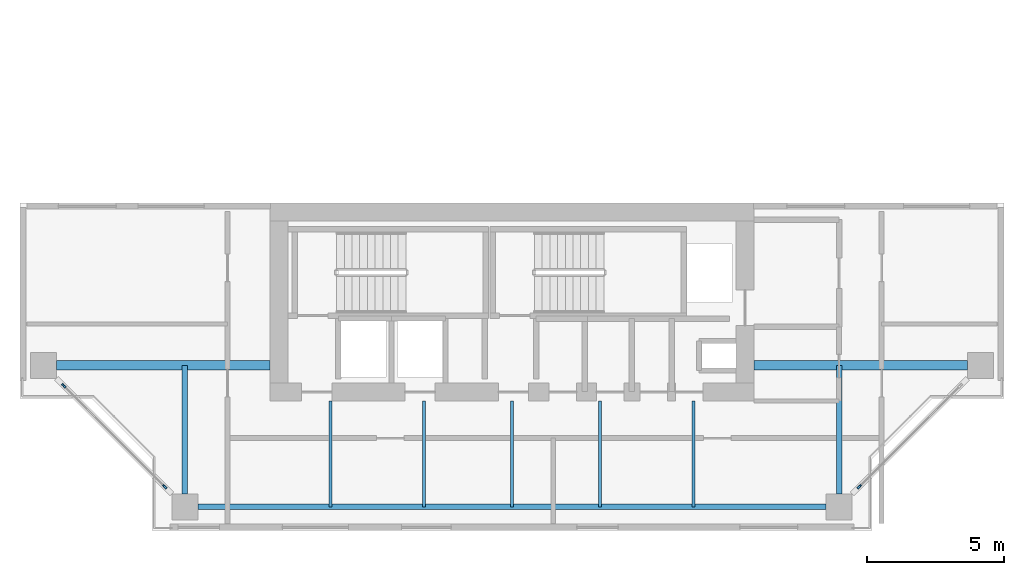
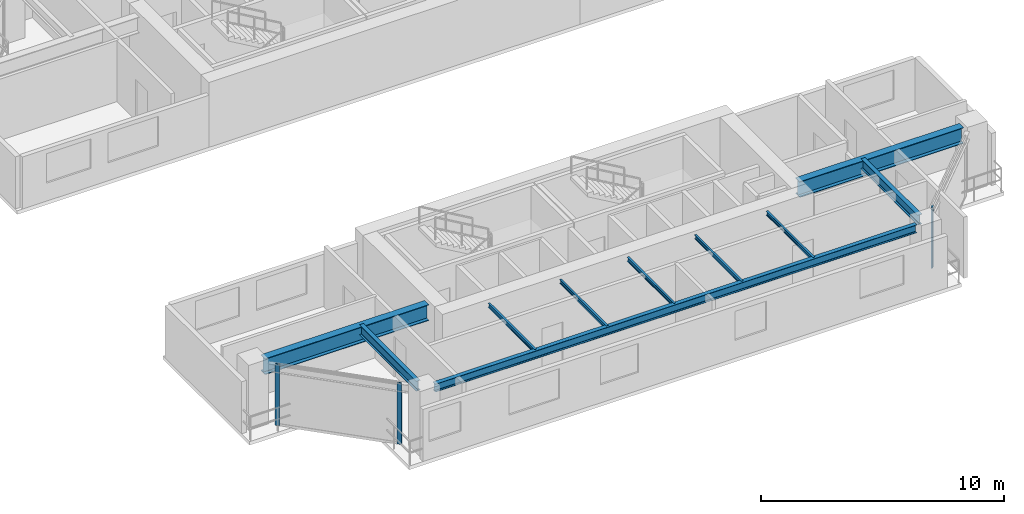
# One storey, part 2 of 12: 10 beams, 3 members, 2 elements without a shape of their own.
"""IFC4 building model written with IfcOpenShell, lengths in metres."""

from ifc_helpers import new_model, si_unit, direction, frame, origin, origin_2d, place, context, subcontext, project, spatial, rectangle, i_section, extrude, source, transform, mapped, material, layer, layer_set, material_profile, profile_set, type_object, element, aggregate, save


model = new_model("IFC4")

# Units and contexts
model_context = context("Model", 3, precision=1e-05, world=origin(), true_north=direction((0.0, 1.0)))
body_context = subcontext(model_context, "Body", "Model", "MODEL_VIEW")
ifc_project = project(units=[si_unit("LENGTHUNIT", "METRE"), si_unit("AREAUNIT", "SQUARE_METRE"), si_unit("VOLUMEUNIT", "CUBIC_METRE"), si_unit("PLANEANGLEUNIT", "RADIAN"), si_unit("MASSUNIT", "GRAM", prefix="KILO"), si_unit("THERMODYNAMICTEMPERATUREUNIT", "KELVIN"), si_unit("POWERUNIT", "WATT")], contexts=[model_context])

# Site, building, storey
site_placement = place(None, origin())
site = spatial("IfcSite", under=ifc_project, at=site_placement, CompositionType="ELEMENT")
building_placement = place(site_placement, origin())
building = spatial("IfcBuilding", under=site, at=building_placement, Name="Qiaomeng Ring Towers", CompositionType="ELEMENT")
storey_placement = place(building_placement, frame((0.0, 0.0, 163.25)))
storey = spatial("IfcBuildingStorey", under=building, at=storey_placement, Name="L47", CompositionType="ELEMENT", Elevation=163.25)

# Beams
ifc_material_1 = material(Name="Steel Q355B", Category="steel")
ifc_material_profile_1 = material_profile(ifc_material_1, i_section(OverallWidth=0.10009765625, OverallDepth=0.199951171875, WebThickness=0.005615234375, FlangeThickness=0.008056640625, FilletRadius=0.010986328125, at=origin_2d()), Name="HN 200x100x5.5x8")
ifc_profile_set_1 = profile_set([ifc_material_profile_1], Name="Steel Q355B")
beam_type_1 = type_object("IfcBeamType", Name="STR-BM-HN200", PredefinedType="JOIST", material=ifc_profile_set_1)
shared_shape_1 = source(origin(), body_context, "Body", "SweptSolid", [
    extrude(i_section(OverallWidth=0.10009765625, OverallDepth=0.199951171875, WebThickness=0.005615234375, FlangeThickness=0.008056640625, FilletRadius=0.010986328125, at=origin_2d()), origin(), (0.0, 0.0, 1.0), 3.85009765625),
])
for number, where, z_axis, x_axis, name in (
    (1, (12.39990234375, 5.949951171875, 2.969970703125), (0.0, 1.0, 0.0), (-1.0, 0.0, 0.0), "L47 beam STR-JST-L47-T1S-1"),
    (2, (15.800048828125, 5.949951171875, 2.969970703125), (0.0, 1.0, 0.0), (-1.0, 0.0, 0.0), "L47 beam STR-JST-L47-T1S-2"),
    (3, (19.0, 5.949951171875, 2.969970703125), (0.0, 1.0, 0.0), (-1.0, 0.0, 0.0), "L47 beam STR-JST-L47-T1S-3"),
    (4, (22.199951171875, 5.949951171875, 2.969970703125), (0.0, 1.0, 0.0), (-1.0, 0.0, 0.0), "L47 beam STR-JST-L47-T1S-4"),
    (5, (25.60009765625, 5.949951171875, 2.969970703125), (0.0, 1.0, 0.0), (-1.0, 0.0, 0.0), "L47 beam STR-JST-L47-T1S-5"),
):
    element("IfcBeam", number, at=place(storey_placement, frame(where, z_axis=z_axis, x_axis=x_axis)), inside=storey, type_object=beam_type_1, Name=name, PredefinedType="JOIST", context=body_context, shape_type="MappedRepresentation", body=[
        mapped(shared_shape_1, transform((0.0, 0.0, 0.0), x_axis=(1.0, 0.0, 0.0), y_axis=(0.0, 1.0, 0.0), z_axis=(0.0, 0.0, 1.0), scale=1.0)),
    ])
ifc_material_profile_2 = material_profile(ifc_material_1, i_section(OverallWidth=0.199951171875, OverallDepth=0.39990234375, WebThickness=0.008056640625, FlangeThickness=0.012939453125, FilletRadius=0.01611328125, at=origin_2d()), Name="HN 400x200x8x13")
ifc_profile_set_2 = profile_set([ifc_material_profile_2], Name="Steel Q355B")
beam_type_2 = type_object("IfcBeamType", Name="STR-BM-HN400", PredefinedType="SPANDREL", material=ifc_profile_set_2)
shared_shape_2 = source(origin(), body_context, "Body", "SweptSolid", [
    extrude(i_section(OverallWidth=0.199951171875, OverallDepth=0.39990234375, WebThickness=0.008056640625, FlangeThickness=0.012939453125, FilletRadius=0.01611328125, at=origin_2d()), origin(), (0.0, 0.0, 1.0), 22.85205078125),
])
beam_placement = place(storey_placement, frame((7.573974609375, 5.949951171875, 2.8701171875), z_axis=(1.0, 0.0, 0.0), x_axis=(0.0, 1.0, 0.0)))
element("IfcBeam", 6, at=beam_placement, inside=storey, type_object=beam_type_2, Name="L47 beam STR-SP-L47-T1-S1-S2", PredefinedType="SPANDREL", context=body_context, shape_type="MappedRepresentation", body=[
    mapped(shared_shape_2, transform((0.0, 0.0, 0.0), x_axis=(1.0, 0.0, 0.0), y_axis=(0.0, 1.0, 0.0), z_axis=(0.0, 0.0, 1.0), scale=1.0)),
])
ifc_material_2 = material(Name="Steel Q390GJC", Category="steel")
ifc_material_profile_3 = material_profile(ifc_material_2, i_section(OverallWidth=0.35009765625, OverallDepth=0.800048828125, WebThickness=0.01611328125, FlangeThickness=0.028076171875, at=origin_2d()), Name="WH 800x350x16x28")
ifc_profile_set_3 = profile_set([ifc_material_profile_3], Name="Steel Q390GJC")
beam_type_3 = type_object("IfcBeamType", Name="STR-BM-WH800", PredefinedType="BEAM", material=ifc_profile_set_3)
shared_shape_3 = source(origin(), body_context, "Body", "SweptSolid", [
    extrude(i_section(OverallWidth=0.35009765625, OverallDepth=0.800048828125, WebThickness=0.01611328125, FlangeThickness=0.028076171875, at=origin_2d()), origin(), (0.0, 0.0, 1.0), 7.77587890625),
])
for number, where, z_axis, x_axis, name in (
    (7, (2.424072265625, 11.10009765625, 2.669921875), (1.0, 0.0, 0.0), (0.0, 1.0, 0.0), "L47 beam STR-BM-L47-T1-RAD-W1"),
    (8, (27.800048828125, 11.10009765625, 2.669921875), (1.0, 0.0, 0.0), (0.0, 1.0, 0.0), "L47 beam STR-BM-L47-T1-RAD-E1"),
):
    element("IfcBeam", number, at=place(storey_placement, frame(where, z_axis=z_axis, x_axis=x_axis)), inside=storey, type_object=beam_type_3, Name=name, PredefinedType="BEAM", context=body_context, shape_type="MappedRepresentation", body=[
        mapped(shared_shape_3, transform((0.0, 0.0, 0.0), x_axis=(1.0, 0.0, 0.0), y_axis=(0.0, 1.0, 0.0), z_axis=(0.0, 0.0, 1.0), scale=1.0)),
    ])
ifc_material_profile_4 = material_profile(ifc_material_1, i_section(OverallWidth=0.199951171875, OverallDepth=0.5, WebThickness=0.010009765625, FlangeThickness=0.01611328125, FilletRadius=0.02001953125, at=origin_2d()), Name="HN 500x200x10x16")
ifc_profile_set_4 = profile_set([ifc_material_profile_4], Name="Steel Q355B")
beam_type_4 = type_object("IfcBeamType", Name="STR-BM-HN500", PredefinedType="BEAM", material=ifc_profile_set_4)
shared_shape_4 = source(origin(), body_context, "Body", "SweptSolid", [
    extrude(i_section(OverallWidth=0.199951171875, OverallDepth=0.5, WebThickness=0.010009765625, FlangeThickness=0.01611328125, FilletRadius=0.02001953125, at=origin_2d()), origin(), (0.0, 0.0, 1.0), 4.676025390625),
])
for number, where, z_axis, x_axis, name in (
    (9, (7.10009765625, 6.424072265625, 2.820068359375), (0.0, 1.0, 0.0), (-1.0, 0.0, 0.0), "L47 beam STR-BM-L47-T1-RAD-S1"),
    (10, (30.89990234375, 6.424072265625, 2.820068359375), (0.0, 1.0, 0.0), (-1.0, 0.0, 0.0), "L47 beam STR-BM-L47-T1-RAD-S2"),
):
    element("IfcBeam", number, at=place(storey_placement, frame(where, z_axis=z_axis, x_axis=x_axis)), inside=storey, type_object=beam_type_4, Name=name, PredefinedType="BEAM", context=body_context, shape_type="MappedRepresentation", body=[
        mapped(shared_shape_4, transform((0.0, 0.0, 0.0), x_axis=(1.0, 0.0, 0.0), y_axis=(0.0, 1.0, 0.0), z_axis=(0.0, 0.0, 1.0), scale=1.0)),
    ])

# Curtain wall, member
ifc_material_3 = material(Name="Fluorocarbon dark-grey aluminium", Category="aluminium")
ifc_layer = layer(ifc_material_3, 0.14990234375, Name="Fluorocarbon dark-grey aluminium")
ifc_layer_set = layer_set([ifc_layer], Name="Fluorocarbon dark-grey aluminium")
curtain_wall_type = type_object("IfcCurtainWallType", Name="ARC-CW-3", PredefinedType="NOTDEFINED", material=ifc_layer_set)
curtain_wall_1_placement = place(storey_placement, origin())
curtain_wall_1 = element("IfcCurtainWall", 11, at=curtain_wall_1_placement, inside=storey, type_object=curtain_wall_type, Name="L47 Curtain Wall CW3", PredefinedType="NOTDEFINED")
ifc_material_profile_5 = material_profile(ifc_material_3, rectangle(XDim=0.070068359375, YDim=0.179931640625, at=origin_2d()), Name="ALU MULL 70x180")
ifc_profile_set_5 = profile_set([ifc_material_profile_5], Name="Fluorocarbon dark-grey aluminium")
member_type = type_object("IfcMemberType", Name="ARC-CWM-160", PredefinedType="MULLION", material=ifc_profile_set_5)
shared_shape_5 = source(origin(), body_context, "Body", "SweptSolid", [
    extrude(rectangle(XDim=0.070068359375, YDim=0.179931640625, at=origin_2d()), origin(), (0.0, 0.0, 1.0), 3.070068359375),
])
member_1_placement = place(storey_placement, frame((31.6396484375, 6.689697265625, 0.0), z_axis=(0.0, 0.0, 1.0), x_axis=(-0.707106781187, 0.707106781187, 0.0)))
member_1 = element("IfcMember", 12, at=member_1_placement, type_object=member_type, Name="CW3 mullion 1", PredefinedType="MULLION", context=body_context, shape_type="MappedRepresentation", body=[
    mapped(shared_shape_5, transform((0.0, 0.0, 0.0), x_axis=(1.0, 0.0, 0.0), y_axis=(0.0, 1.0, 0.0), z_axis=(0.0, 0.0, 1.0), scale=1.0)),
])
aggregate(curtain_wall_1, [member_1])

# Curtain wall, members
curtain_wall_2_placement = place(storey_placement, origin())
curtain_wall_2 = element("IfcCurtainWall", 13, at=curtain_wall_2_placement, inside=storey, type_object=curtain_wall_type, Name="L47 Curtain Wall CW3", PredefinedType="NOTDEFINED")
member_2_placement = place(storey_placement, frame((2.689697265625, 10.3603515625, 0.0), z_axis=(0.0, 0.0, 1.0), x_axis=(0.707106781187, 0.707106781187, 0.0)))
member_2 = element("IfcMember", 14, at=member_2_placement, type_object=member_type, Name="CW3 mullion 1", PredefinedType="MULLION", context=body_context, shape_type="MappedRepresentation", body=[
    mapped(shared_shape_5, transform((0.0, 0.0, 0.0), x_axis=(1.0, 0.0, 0.0), y_axis=(0.0, 1.0, 0.0), z_axis=(0.0, 0.0, 1.0), scale=1.0)),
])
member_3_placement = place(storey_placement, frame((6.3603515625, 6.689697265625, 0.0), z_axis=(0.0, 0.0, 1.0), x_axis=(0.707106781187, 0.707106781187, 0.0)))
member_3 = element("IfcMember", 15, at=member_3_placement, type_object=member_type, Name="CW3 mullion 2", PredefinedType="MULLION", context=body_context, shape_type="MappedRepresentation", body=[
    mapped(shared_shape_5, transform((0.0, 0.0, 0.0), x_axis=(1.0, 0.0, 0.0), y_axis=(0.0, 1.0, 0.0), z_axis=(0.0, 0.0, 1.0), scale=1.0)),
])
aggregate(curtain_wall_2, [member_2, member_3])

save(model, "model.ifc")
